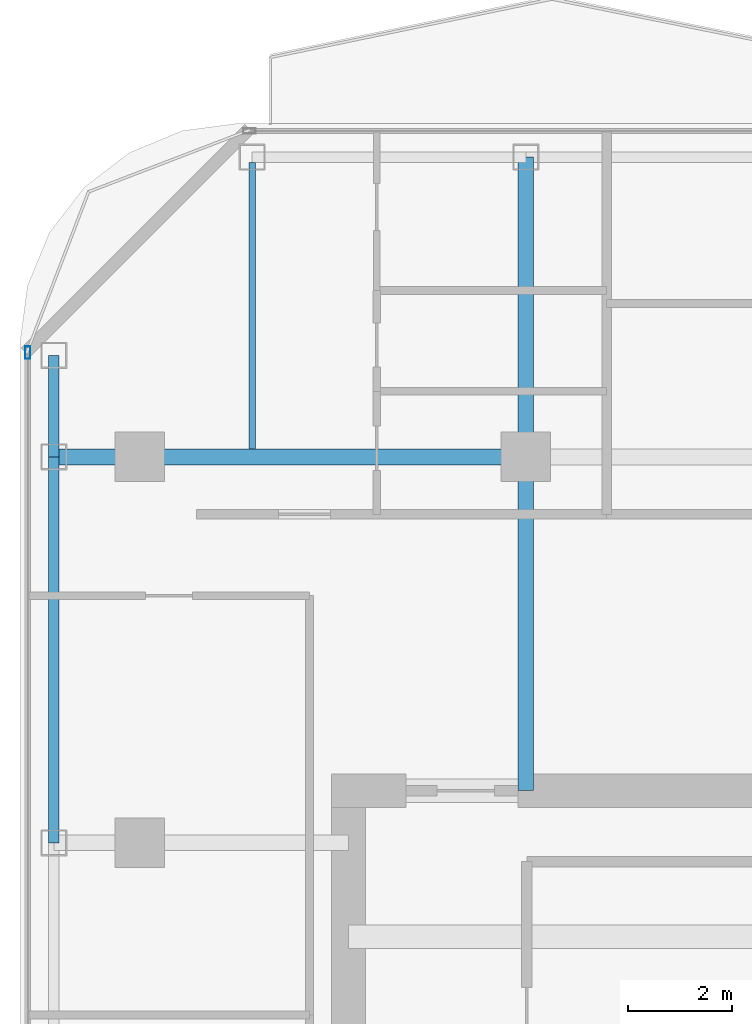
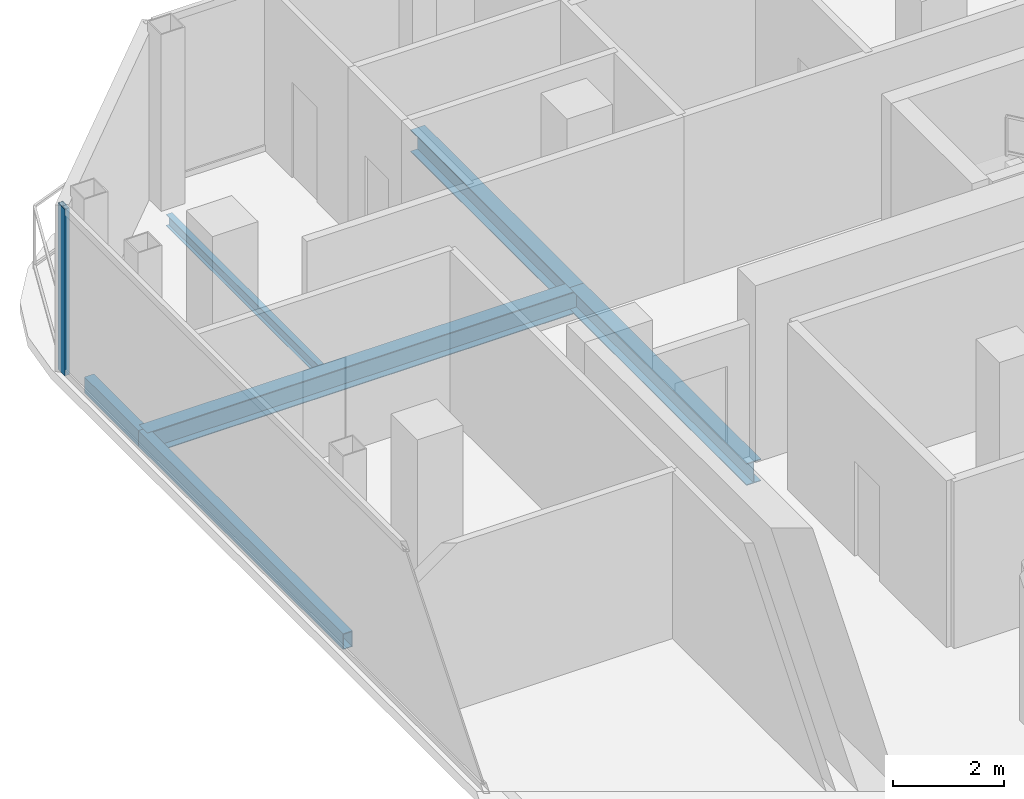
# One storey, part 10 of 23: 6 beams, 1 member, 1 element without a shape of its own.
"""IFC4 building model written with IfcOpenShell, lengths in metres."""

from ifc_helpers import new_model, si_unit, direction, frame, origin, origin_2d, place, context, subcontext, project, spatial, hollow_rectangle, i_section, extrude, material, layer, layer_set, material_profile, profile_set, type_object, element, aggregate, save


model = new_model("IFC4")

# Units and contexts
model_context = context("Model", 3, precision=1e-05, world=origin(), true_north=direction((0.0, 1.0)))
body_context = subcontext(model_context, "Body", "Model", "MODEL_VIEW")
ifc_project = project(units=[si_unit("LENGTHUNIT", "METRE"), si_unit("AREAUNIT", "SQUARE_METRE"), si_unit("VOLUMEUNIT", "CUBIC_METRE"), si_unit("PLANEANGLEUNIT", "RADIAN"), si_unit("MASSUNIT", "GRAM", prefix="KILO")], contexts=[model_context])

# Site, building, storey
site_placement = place(None, origin())
site = spatial("IfcSite", under=ifc_project, at=site_placement, CompositionType="ELEMENT")
building_placement = place(site_placement, origin())
building = spatial("IfcBuilding", under=site, at=building_placement, Name="Khorvyn Point Tower", CompositionType="ELEMENT")
storey_placement = place(building_placement, frame((0.0, 0.0, 274.199951171875)))
storey = spatial("IfcBuildingStorey", under=building, at=storey_placement, Name="L67", CompositionType="ELEMENT", Elevation=274.199951171875)

# Curtain wall, member
ifc_material_1 = material(Name="Anodised aluminium 6063-T6 and laminated Low-E glass", Category="aluminium")
ifc_layer = layer(ifc_material_1, 0.18994140625)
ifc_layer_set = layer_set([ifc_layer], Name="Stick-Built High-Wind Curtain Wall CW-SYS-04")
curtain_wall_type = type_object("IfcCurtainWallType", Name="Stick-Built High-Wind Curtain Wall CW-SYS-04", PredefinedType="NOTDEFINED", material=ifc_layer_set)
curtain_wall_placement = place(storey_placement, origin())
curtain_wall = element("IfcCurtainWall", 1, at=curtain_wall_placement, inside=storey, type_object=curtain_wall_type, Name="Curtain Wall", PredefinedType="NOTDEFINED")
ifc_material_2 = material(Name="Anodised aluminium 6063-T6", Category="aluminium")
ifc_material_profile_1 = material_profile(ifc_material_2, hollow_rectangle(XDim=0.10009765625, YDim=0.239990234375, WallThickness=0.0048828125, at=origin_2d()))
ifc_profile_set_1 = profile_set([ifc_material_profile_1], Name="Anodised aluminium 6063-T6 ALU-MUL-100x240")
member_type = type_object("IfcMemberType", Name="Anodised Aluminium 6063-T6 Mullion ALU-MUL-100x240", PredefinedType="MULLION", material=ifc_profile_set_1)
member_placement = place(storey_placement, frame((-16.949951171875, 16.800048828125, 0.0), z_axis=(0.0, 0.0, 1.0), x_axis=(-1.0, 0.0, 0.0)))
member = element("IfcMember", 2, at=member_placement, type_object=member_type, Name="Transom", PredefinedType="MULLION", context=body_context, shape_type="SweptSolid", body=[
    extrude(hollow_rectangle(XDim=0.10009765625, YDim=0.239990234375, WallThickness=0.0048828125, at=origin_2d()), origin(), (0.0, 0.0, 1.0), 3.679931640625),
])
aggregate(curtain_wall, [member])

# Beams
ifc_material_3 = material(Name="Steel S355", Category="steel")
ifc_material_profile_2 = material_profile(ifc_material_3, i_section(OverallWidth=0.125, OverallDepth=0.25, WebThickness=0.006103515625, FlangeThickness=0.009033203125, at=origin_2d()))
ifc_profile_set_2 = profile_set([ifc_material_profile_2], Name="Steel S355 H250x125x6x9")
beam_type_1 = type_object("IfcBeamType", Name="Steel S355 Joist H250x125x6x9", PredefinedType="JOIST", material=ifc_profile_set_2)
beam_1_placement = place(storey_placement, frame((-12.64990234375, 14.949951171875, -0.344970703125), z_axis=(0.0, 1.0, 0.0), x_axis=(-1.0, 0.0, 0.0)))
element("IfcBeam", 3, at=beam_1_placement, inside=storey, type_object=beam_type_1, Name="Beam", PredefinedType="JOIST", context=body_context, shape_type="SweptSolid", body=[
    extrude(i_section(OverallWidth=0.125, OverallDepth=0.25, WebThickness=0.006103515625, FlangeThickness=0.009033203125, at=origin_2d()), origin(), (0.0, 0.0, 1.0), 5.5),
])
ifc_material_profile_3 = material_profile(ifc_material_3, i_section(OverallWidth=0.300048828125, OverallDepth=0.488037109375, WebThickness=0.010986328125, FlangeThickness=0.01806640625, at=origin_2d()))
ifc_profile_set_3 = profile_set([ifc_material_profile_3], Name="Steel S355 H488x300x11x18")
beam_type_2 = type_object("IfcBeamType", Name="Steel S355 Spandrel H488x300x11x18", PredefinedType="SPANDREL", material=ifc_profile_set_3)
beam_2_placement = place(storey_placement, frame((-16.449951171875, 14.800048828125, -0.4638671875), z_axis=(1.0, 0.0, 0.0), x_axis=(0.0, 1.0, 0.0)))
element("IfcBeam", 4, at=beam_2_placement, inside=storey, type_object=beam_type_2, Name="Beam", PredefinedType="SPANDREL", context=body_context, shape_type="SweptSolid", body=[
    extrude(i_section(OverallWidth=0.300048828125, OverallDepth=0.488037109375, WebThickness=0.010986328125, FlangeThickness=0.01806640625, at=origin_2d()), origin(), (0.0, 0.0, 1.0), 9.050048828125),
])
beam_3_placement = place(storey_placement, frame((-7.39990234375, 8.39990234375, -0.4638671875), z_axis=(0.0, 1.0, 0.0), x_axis=(-1.0, 0.0, 0.0)))
element("IfcBeam", 5, at=beam_3_placement, inside=storey, type_object=beam_type_2, Name="Beam", PredefinedType="SPANDREL", context=body_context, shape_type="SweptSolid", body=[
    extrude(i_section(OverallWidth=0.300048828125, OverallDepth=0.488037109375, WebThickness=0.010986328125, FlangeThickness=0.01806640625, at=origin_2d()), origin(), (0.0, 0.0, 1.0), 6.400146484375),
])
beam_4_placement = place(storey_placement, frame((-7.39990234375, 14.800048828125, -0.4638671875), z_axis=(0.0, 1.0, 0.0), x_axis=(-1.0, 0.0, 0.0)))
element("IfcBeam", 6, at=beam_4_placement, inside=storey, type_object=beam_type_2, Name="Beam", PredefinedType="SPANDREL", context=body_context, shape_type="SweptSolid", body=[
    extrude(i_section(OverallWidth=0.300048828125, OverallDepth=0.488037109375, WebThickness=0.010986328125, FlangeThickness=0.01806640625, at=origin_2d()), origin(), (0.0, 0.0, 1.0), 5.75),
])
ifc_material_profile_4 = material_profile(ifc_material_3, hollow_rectangle(XDim=0.199951171875, YDim=0.35009765625, WallThickness=0.013916015625, at=origin_2d()))
ifc_profile_set_4 = profile_set([ifc_material_profile_4], Name="Steel S355 RHS350x200x14")
beam_type_3 = type_object("IfcBeamType", Name="Steel S355 Spandrel RHS350x200x14", PredefinedType="SPANDREL", material=ifc_profile_set_4)
beam_5_placement = place(storey_placement, frame((-16.449951171875, 7.39990234375, -0.39501953125), z_axis=(0.0, 1.0, 0.0), x_axis=(-1.0, 0.0, 0.0)))
element("IfcBeam", 7, at=beam_5_placement, inside=storey, type_object=beam_type_3, Name="Beam", PredefinedType="SPANDREL", context=body_context, shape_type="SweptSolid", body=[
    extrude(hollow_rectangle(XDim=0.199951171875, YDim=0.35009765625, WallThickness=0.013916015625, at=origin_2d()), origin(), (0.0, 0.0, 1.0), 7.400146484375),
])
beam_6_placement = place(storey_placement, frame((-16.449951171875, 14.800048828125, -0.39501953125), z_axis=(0.0, 1.0, 0.0), x_axis=(-1.0, 0.0, 0.0)))
element("IfcBeam", 8, at=beam_6_placement, inside=storey, type_object=beam_type_3, Name="Beam", PredefinedType="SPANDREL", context=body_context, shape_type="SweptSolid", body=[
    extrude(hollow_rectangle(XDim=0.199951171875, YDim=0.35009765625, WallThickness=0.013916015625, at=origin_2d()), origin(), (0.0, 0.0, 1.0), 1.949951171875),
])

save(model, "model.ifc")
